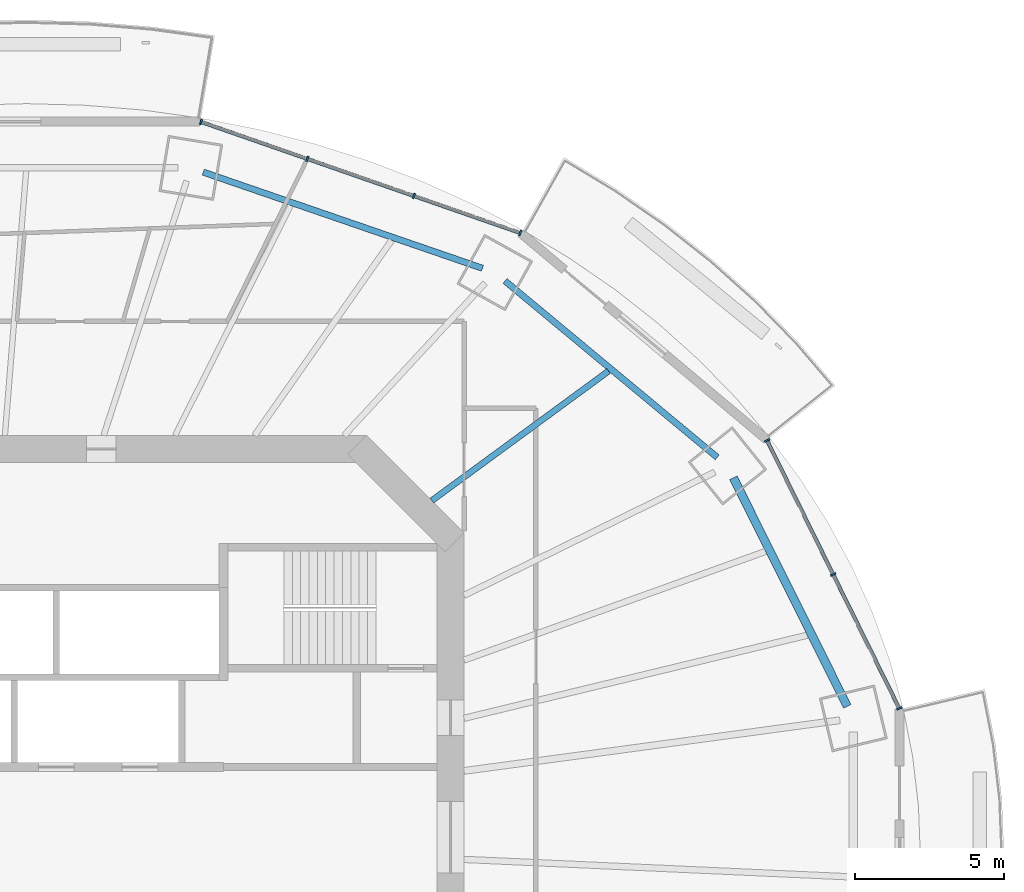
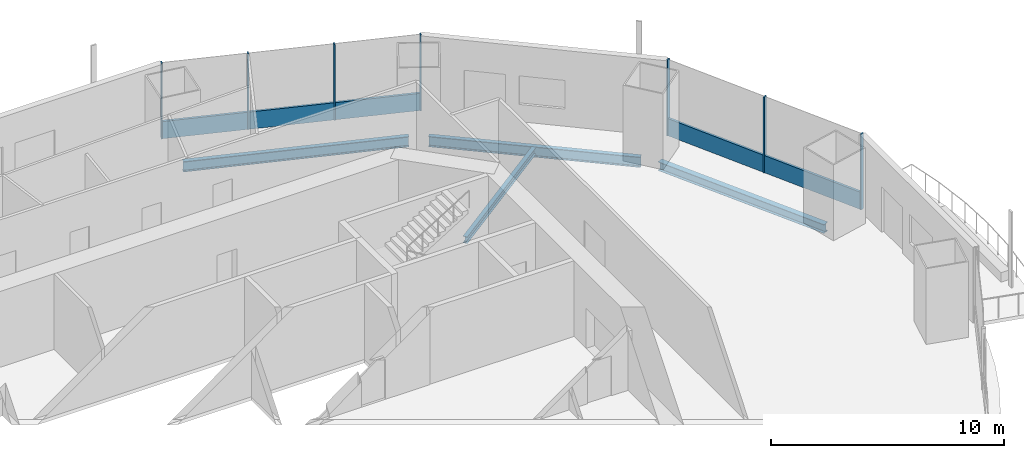
# One storey, part 8 of 19: 9 members, 4 beams, 2 elements without a shape of their own.
"""IFC4 building model written with IfcOpenShell, lengths in metres."""

from ifc_helpers import new_model, si_unit, direction, frame, origin, origin_2d, place, context, subcontext, project, spatial, rectangle, i_section, extrude, material, material_profile, profile_set, type_object, element, aggregate, save


model = new_model("IFC4")

# Units and contexts
model_context = context("Model", 3, precision=1e-05, world=origin(), true_north=direction((0.0, 1.0)))
body_context = subcontext(model_context, "Body", "Model", "MODEL_VIEW")
ifc_project = project(units=[si_unit("LENGTHUNIT", "METRE"), si_unit("AREAUNIT", "SQUARE_METRE"), si_unit("VOLUMEUNIT", "CUBIC_METRE"), si_unit("PLANEANGLEUNIT", "RADIAN"), si_unit("MASSUNIT", "GRAM", prefix="KILO")], contexts=[model_context])

# Site, building, storey
site_placement = place(None, origin())
site = spatial("IfcSite", under=ifc_project, at=site_placement, CompositionType="ELEMENT")
building_placement = place(site_placement, origin())
building = spatial("IfcBuilding", under=site, at=building_placement, Name="Marenthal Gate Tower", CompositionType="ELEMENT")
storey_placement = place(building_placement, frame((0.0, 0.0, 256.5)))
storey = spatial("IfcBuildingStorey", under=building, at=storey_placement, Name="L57", CompositionType="ELEMENT", Elevation=256.5)

# Curtain wall, members
ifc_material_1 = material(Name="Aluminium and glass", Category="aluminium")
curtain_wall_type = type_object("IfcCurtainWallType", Name="Curtain wall typical mid", PredefinedType="NOTDEFINED", material=ifc_material_1)
curtain_wall_1_placement = place(storey_placement, origin())
curtain_wall_1 = element("IfcCurtainWall", 1, at=curtain_wall_1_placement, inside=storey, type_object=curtain_wall_type, Name="Curtain wall L57 bay 1", PredefinedType="NOTDEFINED")
ifc_material_2 = material(Name="Aluminium", Category="aluminium")
ifc_material_profile_1 = material_profile(ifc_material_2, rectangle(XDim=0.179931640625, YDim=0.06005859375, at=origin_2d()), Name="60x180 aluminium mullion")
ifc_profile_set_1 = profile_set([ifc_material_profile_1], Name="Aluminium")
member_type_1 = type_object("IfcMemberType", Name="Mullion 60x180 typical mid", PredefinedType="MULLION", material=ifc_profile_set_1)
member_1_placement = place(storey_placement, frame((31.01708984375, 4.310791015625, 0.0), z_axis=(0.0, 0.0, 1.0), x_axis=(-0.896882319585, -0.44226926732, 0.0)))
member_1 = element("IfcMember", 2, at=member_1_placement, type_object=member_type_1, Name="Mullion L57 bay 1.1", PredefinedType="MULLION", context=body_context, shape_type="SweptSolid", body=[
    extrude(rectangle(XDim=0.179931640625, YDim=0.06005859375, at=origin_2d()), origin(), (0.0, 0.0, 1.0), 3.969970703125),
])
member_2_placement = place(storey_placement, frame((28.80517578125, 8.796142578125, 0.0), z_axis=(0.0, 0.0, 1.0), x_axis=(-0.896882319585, -0.44226926732, 0.0)))
member_2 = element("IfcMember", 3, at=member_2_placement, type_object=member_type_1, Name="Mullion L57 bay 1.2", PredefinedType="MULLION", context=body_context, shape_type="SweptSolid", body=[
    extrude(rectangle(XDim=0.179931640625, YDim=0.06005859375, at=origin_2d()), origin(), (0.0, 0.0, 1.0), 3.969970703125),
])
member_3_placement = place(storey_placement, frame((26.593505859375, 13.28125, 0.0), z_axis=(0.0, 0.0, 1.0), x_axis=(-0.896882319585, -0.44226926732, 0.0)))
member_3 = element("IfcMember", 4, at=member_3_placement, type_object=member_type_1, Name="Mullion L57 bay 1.3", PredefinedType="MULLION", context=body_context, shape_type="SweptSolid", body=[
    extrude(rectangle(XDim=0.179931640625, YDim=0.06005859375, at=origin_2d()), origin(), (0.0, 0.0, 1.0), 3.969970703125),
])

curtain_wall_2_placement = place(storey_placement, origin())
curtain_wall_2 = element("IfcCurtainWall", 5, at=curtain_wall_2_placement, inside=storey, type_object=curtain_wall_type, Name="Curtain wall L57 bay 3", PredefinedType="NOTDEFINED")
member_4_placement = place(storey_placement, frame((18.329345703125, 20.224853515625, 0.0), z_axis=(0.0, 0.0, 1.0), x_axis=(-0.328612003593, -0.944465007872, 0.0)))
member_4 = element("IfcMember", 6, at=member_4_placement, type_object=member_type_1, Name="Mullion L57 bay 3.1", PredefinedType="MULLION", context=body_context, shape_type="SweptSolid", body=[
    extrude(rectangle(XDim=0.179931640625, YDim=0.06005859375, at=origin_2d()), origin(), (0.0, 0.0, 1.0), 3.969970703125),
])
member_5_placement = place(storey_placement, frame((14.76708984375, 21.46435546875, 0.0), z_axis=(0.0, 0.0, 1.0), x_axis=(-0.328612003593, -0.944465007872, 0.0)))
member_5 = element("IfcMember", 7, at=member_5_placement, type_object=member_type_1, Name="Mullion L57 bay 3.2", PredefinedType="MULLION", context=body_context, shape_type="SweptSolid", body=[
    extrude(rectangle(XDim=0.179931640625, YDim=0.06005859375, at=origin_2d()), origin(), (0.0, 0.0, 1.0), 3.969970703125),
])
member_6_placement = place(storey_placement, frame((11.204833984375, 22.70361328125, 0.0), z_axis=(0.0, 0.0, 1.0), x_axis=(-0.328612003593, -0.944465007872, 0.0)))
member_6 = element("IfcMember", 8, at=member_6_placement, type_object=member_type_1, Name="Mullion L57 bay 3.3", PredefinedType="MULLION", context=body_context, shape_type="SweptSolid", body=[
    extrude(rectangle(XDim=0.179931640625, YDim=0.06005859375, at=origin_2d()), origin(), (0.0, 0.0, 1.0), 3.969970703125),
])
member_7_placement = place(storey_placement, frame((7.642578125, 23.943115234375, 0.0), z_axis=(0.0, 0.0, 1.0), x_axis=(-0.328612003593, -0.944465007872, 0.0)))
member_7 = element("IfcMember", 9, at=member_7_placement, type_object=member_type_1, Name="Mullion L57 bay 3.4", PredefinedType="MULLION", context=body_context, shape_type="SweptSolid", body=[
    extrude(rectangle(XDim=0.179931640625, YDim=0.06005859375, at=origin_2d()), origin(), (0.0, 0.0, 1.0), 3.969970703125),
])

# Member
ifc_material_3 = material(Name="Aluminium", Category="aluminium")
ifc_material_profile_2 = material_profile(ifc_material_3, rectangle(XDim=0.1201171875, YDim=0.89990234375, at=origin_2d()), Name="120x900 aluminium transom")
ifc_profile_set_2 = profile_set([ifc_material_profile_2], Name="Aluminium")
member_type_2 = type_object("IfcMemberType", Name="Transom 120x900 typical mid", PredefinedType="USERDEFINED", material=ifc_profile_set_2)
member_8_placement = place(storey_placement, frame((31.003662109375, 4.337646484375, 0.449951171875), z_axis=(-0.442255953319, 0.896888884842, 0.0), x_axis=(-0.896888884842, -0.442255953319, 0.0)))
member_8 = element("IfcMember", 10, at=member_8_placement, type_object=member_type_2, Name="Transom L57 bay 1", ObjectType="TRANSOM", PredefinedType="USERDEFINED", context=body_context, shape_type="SweptSolid", body=[
    extrude(rectangle(XDim=0.1201171875, YDim=0.89990234375, at=origin_2d()), origin(), (0.0, 0.0, 1.0), 9.941650390625),
])

aggregate(curtain_wall_1, [member_1, member_2, member_3, member_8])

member_9_placement = place(storey_placement, frame((18.301025390625, 20.234619140625, 0.449951171875), z_axis=(-0.944461090095, 0.328623263474, 0.0), x_axis=(-0.328623263474, -0.944461090095, 0.0)))
member_9 = element("IfcMember", 11, at=member_9_placement, type_object=member_type_2, Name="Transom L57 bay 3", ObjectType="TRANSOM", PredefinedType="USERDEFINED", context=body_context, shape_type="SweptSolid", body=[
    extrude(rectangle(XDim=0.1201171875, YDim=0.89990234375, at=origin_2d()), origin(), (0.0, 0.0, 1.0), 11.255126953125),
])

aggregate(curtain_wall_2, [member_4, member_5, member_6, member_7, member_9])

# Beams
ifc_material_4 = material(Name="Steel S355", Category="steel")
ifc_material_profile_3 = material_profile(ifc_material_4, i_section(OverallWidth=0.205078125, OverallDepth=0.35302734375, WebThickness=0.009521484375, FlangeThickness=0.016845703125, FilletRadius=0.014892578125, at=origin_2d()), Name="W360X79")
ifc_profile_set_3 = profile_set([ifc_material_profile_3], Name="Steel S355")
beam_type_1 = type_object("IfcBeamType", Name="W360X79 beam", PredefinedType="BEAM", material=ifc_profile_set_3)
beam_1_placement = place(storey_placement, frame((21.28515625, 15.601318359375, -0.3564453125), z_axis=(-0.806555263044, -0.591158699214, 0.0), x_axis=(0.591158699214, -0.806555263044, 0.0)))
element("IfcBeam", 12, at=beam_1_placement, inside=storey, type_object=beam_type_1, Name="BM-L57-19", PredefinedType="BEAM", context=body_context, shape_type="SweptSolid", body=[
    extrude(i_section(OverallWidth=0.205078125, OverallDepth=0.35302734375, WebThickness=0.009521484375, FlangeThickness=0.016845703125, FilletRadius=0.014892578125, at=origin_2d()), origin(), (0.0, 0.0, 1.0), 7.33349609375),
])
ifc_material_5 = material(Name="Steel S355", Category="steel")
ifc_material_profile_4 = material_profile(ifc_material_5, i_section(OverallWidth=0.279052734375, OverallDepth=0.4619140625, WebThickness=0.0107421875, FlangeThickness=0.017333984375, FilletRadius=0.010009765625, at=origin_2d()), Name="W460X113")
ifc_profile_set_4 = profile_set([ifc_material_profile_4], Name="Steel S355")
beam_type_2 = type_object("IfcBeamType", Name="W460X113 beam", PredefinedType="BEAM", material=ifc_profile_set_4)
beam_2_placement = place(storey_placement, frame((29.2802734375, 4.3779296875, -0.410888671875), z_axis=(-0.446105412594, 0.894980424844, 0.0), x_axis=(-0.894980424844, -0.446105412594, 0.0)))
element("IfcBeam", 13, at=beam_2_placement, inside=storey, type_object=beam_type_2, Name="BM-L57-41", PredefinedType="BEAM", context=body_context, shape_type="SweptSolid", body=[
    extrude(i_section(OverallWidth=0.279052734375, OverallDepth=0.4619140625, WebThickness=0.0107421875, FlangeThickness=0.017333984375, FilletRadius=0.010009765625, at=origin_2d()), origin(), (0.0, 0.0, 1.0), 8.550537109375),
])
ifc_material_6 = material(Name="Steel S355", Category="steel")
ifc_material_profile_5 = material_profile(ifc_material_6, i_section(OverallWidth=0.2119140625, OverallDepth=0.5439453125, WebThickness=0.01318359375, FlangeThickness=0.021240234375, FilletRadius=0.0126953125, at=origin_2d()), Name="W530X123")
ifc_profile_set_5 = profile_set([ifc_material_profile_5], Name="Steel S355")
beam_type_3 = type_object("IfcBeamType", Name="W530X123 beam", PredefinedType="BEAM", material=ifc_profile_set_5)
beam_3_placement = place(storey_placement, frame((24.92529296875, 12.714111328125, -0.451904296875), z_axis=(-0.769104243953, 0.639123354239, 0.0), x_axis=(-0.639123354239, -0.769104243953, 0.0)))
element("IfcBeam", 14, at=beam_3_placement, inside=storey, type_object=beam_type_3, Name="BM-L57-42", PredefinedType="BEAM", context=body_context, shape_type="SweptSolid", body=[
    extrude(i_section(OverallWidth=0.2119140625, OverallDepth=0.5439453125, WebThickness=0.01318359375, FlangeThickness=0.021240234375, FilletRadius=0.0126953125, at=origin_2d()), origin(), (0.0, 0.0, 1.0), 9.2392578125),
])
beam_4_placement = place(storey_placement, frame((17.064453125, 19.044189453125, -0.451904296875), z_axis=(-0.945547432883, 0.32548433475, 0.0), x_axis=(-0.32548433475, -0.945547432883, 0.0)))
element("IfcBeam", 15, at=beam_4_placement, inside=storey, type_object=beam_type_3, Name="BM-L57-43", PredefinedType="BEAM", context=body_context, shape_type="SweptSolid", body=[
    extrude(i_section(OverallWidth=0.2119140625, OverallDepth=0.5439453125, WebThickness=0.01318359375, FlangeThickness=0.021240234375, FilletRadius=0.0126953125, at=origin_2d()), origin(), (0.0, 0.0, 1.0), 9.88232421875),
])

save(model, "model.ifc")
